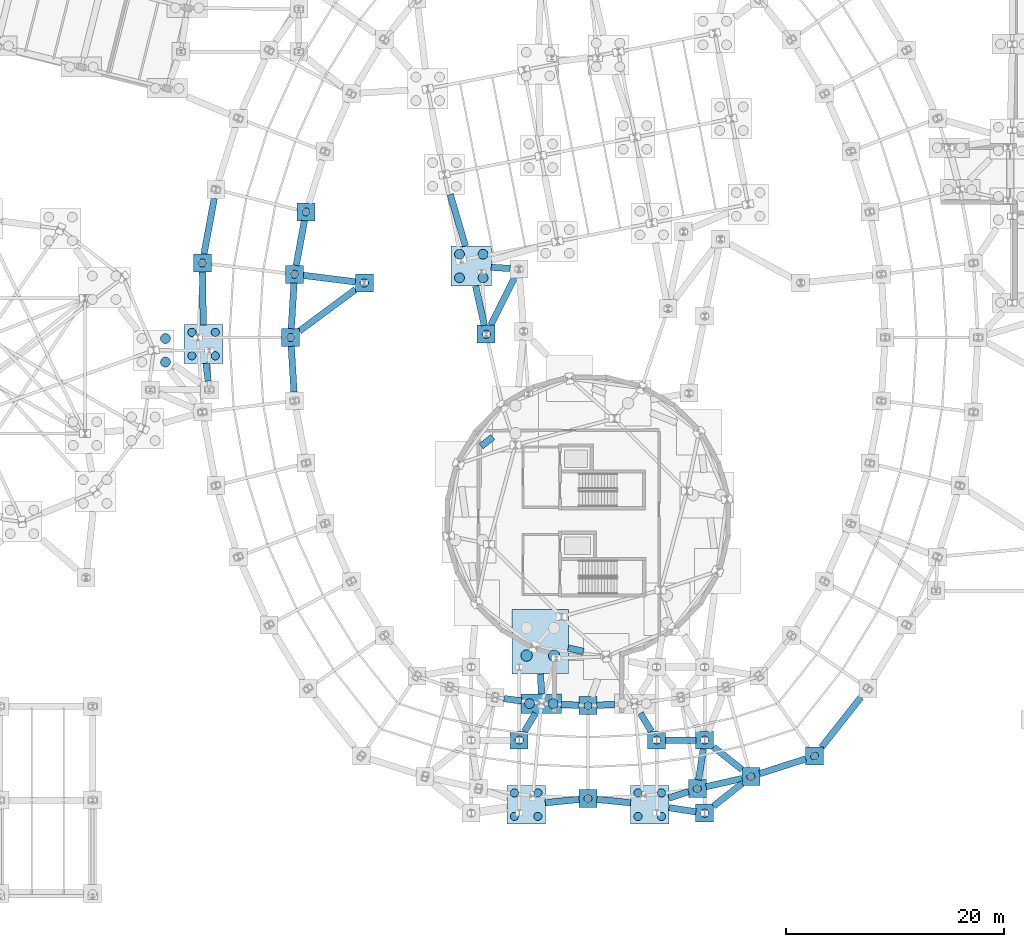
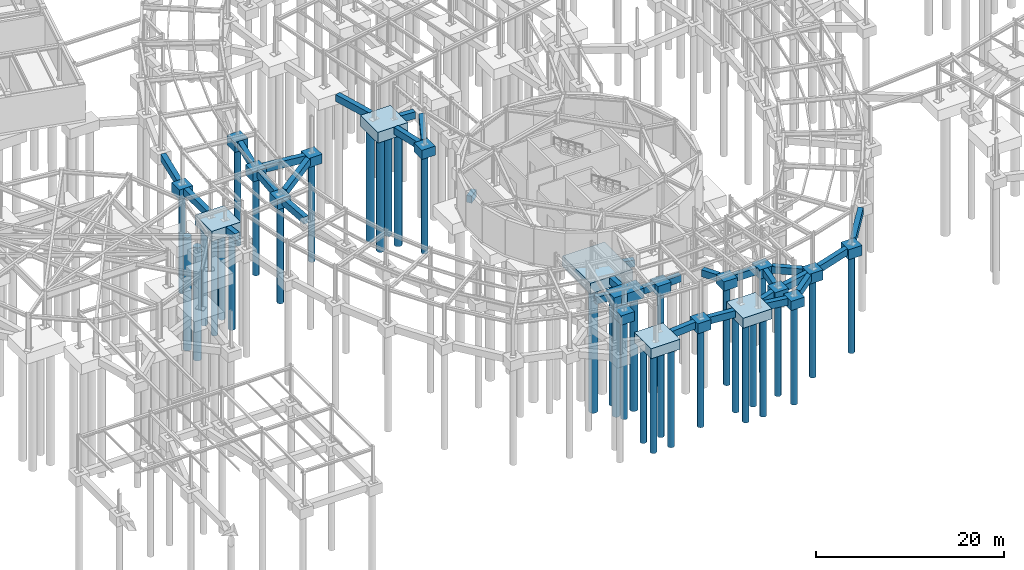
# One storey, part 3 of 50: 52 footings, 37 piles.
"""IFC4 building model written with IfcOpenShell, lengths in metres."""

from ifc_helpers import new_model, si_unit, direction, frame, origin, origin_2d, place, context, subcontext, project, spatial, rectangle, circle, extrude, material, material_profile, profile_set, type_object, element, save


model = new_model("IFC4")

# Units and contexts
model_context = context("Model", 3, precision=1e-05, world=origin(), true_north=direction((0.0, 1.0)))
body_context = subcontext(model_context, "Body", "Model", "MODEL_VIEW")
ifc_project = project(units=[si_unit("LENGTHUNIT", "METRE"), si_unit("AREAUNIT", "SQUARE_METRE"), si_unit("VOLUMEUNIT", "CUBIC_METRE"), si_unit("PLANEANGLEUNIT", "RADIAN"), si_unit("MASSUNIT", "GRAM", prefix="KILO")], contexts=[model_context])

# Site, building, storey
site_placement = place(None, origin())
site = spatial("IfcSite", under=ifc_project, at=site_placement, CompositionType="ELEMENT")
building_placement = place(site_placement, origin())
building = spatial("IfcBuilding", under=site, at=building_placement, Name="Varnklinge Art Gallery", CompositionType="ELEMENT")
storey_placement = place(building_placement, frame((0.0, 0.0, -4.800048828125)))
storey = spatial("IfcBuildingStorey", under=building, at=storey_placement, Name="B01", CompositionType="ELEMENT", Elevation=-4.800048828125)

# Footings
ifc_material_1 = material(Name="Concrete C35/45", Category="concrete")
footing_type_1 = type_object("IfcFootingType", Name="FB-08", PredefinedType="FOOTING_BEAM", material=ifc_material_1)
footing_1_placement = place(storey_placement, frame((84.157470703125, 11.718505859375, -0.89990234375), z_axis=(0.0, 0.0, 1.0), x_axis=(-0.988067633226, 0.154020622552, 0.0)))
element("IfcFooting", 1, at=footing_1_placement, inside=storey, type_object=footing_type_1, Name="B01 Ground Tie Beam FBM-011", PredefinedType="FOOTING_BEAM", context=body_context, shape_type="SweptSolid", body=[
    extrude(rectangle(XDim=2.5048828125, YDim=0.60009765625, at=origin_2d()), origin(), (0.0, 0.0, 1.0), 0.89990234375),
])
ifc_material_2 = material(Name="Concrete C35/45", Category="concrete")
footing_type_2 = type_object("IfcFootingType", Name="FB-09", PredefinedType="FOOTING_BEAM", material=ifc_material_2)
footing_2_placement = place(storey_placement, frame((88.31494140625, 13.08154296875, -0.89990234375), z_axis=(0.0, 0.0, 1.0), x_axis=(0.782716794233, 0.622378036266, 0.0)))
element("IfcFooting", 2, at=footing_2_placement, inside=storey, type_object=footing_type_2, Name="B01 Ground Tie Beam FBM-012", PredefinedType="FOOTING_BEAM", context=body_context, shape_type="SweptSolid", body=[
    extrude(rectangle(XDim=3.34716796875, YDim=0.60009765625, at=origin_2d()), origin(), (0.0, 0.0, 1.0), 0.89990234375),
])
footing_3_placement = place(storey_placement, frame((87.97509765625, 14.2041015625, -0.89990234375), z_axis=(0.0, 0.0, 1.0), x_axis=(-0.975033218117, -0.222059054235, 0.0)))
element("IfcFooting", 3, at=footing_3_placement, inside=storey, type_object=footing_type_2, Name="B01 Ground Tie Beam FBM-025", PredefinedType="FOOTING_BEAM", context=body_context, shape_type="SweptSolid", body=[
    extrude(rectangle(XDim=3.384521484375, YDim=0.60009765625, at=origin_2d()), origin(), (0.0, 0.0, 1.0), 0.89990234375),
])
footing_4_placement = place(storey_placement, frame((88.31494140625, 16.431396484375, -0.89990234375), z_axis=(0.0, 0.0, 1.0), x_axis=(-0.785100778485, 0.619368038909, 0.0)))
element("IfcFooting", 4, at=footing_4_placement, inside=storey, type_object=footing_type_2, Name="B01 Ground Tie Beam FBM-026", PredefinedType="FOOTING_BEAM", context=body_context, shape_type="SweptSolid", body=[
    extrude(rectangle(XDim=3.337158203125, YDim=0.60009765625, at=origin_2d()), origin(), (0.0, 0.0, 1.0), 0.89990234375),
])
ifc_material_3 = material(Name="Concrete C35/45", Category="concrete")
footing_type_3 = type_object("IfcFootingType", Name="FB-12", PredefinedType="FOOTING_BEAM", material=ifc_material_3)
for number, where, z_axis, x_axis, name in (
    (5, (73.142578125, 12.511962890625, -0.89990234375), (0.0, 0.0, 1.0), (-0.995141863893, -0.098451362239, 0.0), "B01 Ground Tie Beam FBM-016"),
    (6, (77.857421875, 12.511962890625, -0.89990234375), (0.0, 0.0, 1.0), (0.995141863893, -0.098451362239, 0.0), "B01 Ground Tie Beam FBM-017"),
):
    element("IfcFooting", number, at=place(storey_placement, frame(where, z_axis=z_axis, x_axis=x_axis)), inside=storey, type_object=footing_type_3, Name=name, PredefinedType="FOOTING_BEAM", context=body_context, shape_type="SweptSolid", body=[
        extrude(rectangle(XDim=3.1201171875, YDim=0.60009765625, at=origin_2d()), origin(), (0.0, 0.0, 1.0), 0.89990234375),
    ])
ifc_material_4 = material(Name="Concrete C35/45", Category="concrete")
footing_type_4 = type_object("IfcFootingType", Name="FB-13", PredefinedType="FOOTING_BEAM", material=ifc_material_4)
footing_5_placement = place(storey_placement, frame((83.8173828125, 13.07421875, -0.89990234375), z_axis=(0.0, 0.0, 1.0), x_axis=(0.94815738489, 0.317801153992, 0.0)))
element("IfcFooting", 7, at=footing_5_placement, inside=storey, type_object=footing_type_4, Name="B01 Ground Tie Beam FBM-019", PredefinedType="FOOTING_BEAM", context=body_context, shape_type="SweptSolid", body=[
    extrude(rectangle(XDim=1.893310546875, YDim=0.60009765625, at=origin_2d()), origin(), (0.0, 0.0, 1.0), 0.89990234375),
])
footing_6_placement = place(storey_placement, frame((71.2001953125, 23.2529296875, -0.89990234375), z_axis=(0.0, 0.0, 1.0), x_axis=(0.017103392695, -0.999853726281, 0.0)))
element("IfcFooting", 8, at=footing_6_placement, inside=storey, type_object=footing_type_4, Name="B01 Ground Tie Beam FBM-070", PredefinedType="FOOTING_BEAM", context=body_context, shape_type="SweptSolid", body=[
    extrude(rectangle(XDim=1.854248046875, YDim=0.60009765625, at=origin_2d()), origin(), (0.0, 0.0, 1.0), 0.89990234375),
])
footing_7_placement = place(storey_placement, frame((67.505615234375, 61.381591796875, -0.89990234375), z_axis=(0.0, 0.0, 1.0), x_axis=(-0.998015754214, 0.062964707096, 0.0)))
element("IfcFooting", 9, at=footing_7_placement, inside=storey, type_object=footing_type_4, Name="B01 Ground Tie Beam FBM-155", PredefinedType="FOOTING_BEAM", context=body_context, shape_type="SweptSolid", body=[
    extrude(rectangle(XDim=1.738525390625, YDim=0.60009765625, at=origin_2d()), origin(), (0.0, 0.0, 1.0), 0.89990234375),
])
ifc_material_5 = material(Name="Concrete C35/45", Category="concrete")
footing_type_5 = type_object("IfcFootingType", Name="FB-14", PredefinedType="FOOTING_BEAM", material=ifc_material_5)
for number, where, z_axis, x_axis, name in (
    (10, (48.43505859375, 52.1005859375, -0.89990234375), (0.0, 0.0, 1.0), (-0.06087433122, 0.9981454382, 0.0), "B01 Ground Tie Beam FBM-121"),
    (11, (48.43505859375, 57.8994140625, -0.89990234375), (0.0, 0.0, 1.0), (0.06087433122, 0.9981454382, 0.0), "B01 Ground Tie Beam FBM-133"),
):
    element("IfcFooting", number, at=place(storey_placement, frame(where, z_axis=z_axis, x_axis=x_axis)), inside=storey, type_object=footing_type_5, Name=name, PredefinedType="FOOTING_BEAM", context=body_context, shape_type="SweptSolid", body=[
        extrude(rectangle(XDim=4.19677734375, YDim=0.60009765625, at=origin_2d()), origin(), (0.0, 0.0, 1.0), 0.89990234375),
    ])
footing_8_placement = place(storey_placement, frame((49.139404296875, 63.655517578125, -0.89990234375), z_axis=(0.0, 0.0, 1.0), x_axis=(0.181549039717, 0.983381892338, 0.0)))
element("IfcFooting", 12, at=footing_8_placement, inside=storey, type_object=footing_type_5, Name="B01 Ground Tie Beam FBM-153", PredefinedType="FOOTING_BEAM", context=body_context, shape_type="SweptSolid", body=[
    extrude(rectangle(XDim=4.17236328125, YDim=0.60009765625, at=origin_2d()), origin(), (0.0, 0.0, 1.0), 0.89990234375),
])
ifc_material_6 = material(Name="Concrete C35/45", Category="concrete")
footing_type_6 = type_object("IfcFootingType", Name="FB-15", PredefinedType="FOOTING_BEAM", material=ifc_material_6)
footing_9_placement = place(storey_placement, frame((85.860107421875, 15.87255859375, -0.89990234375), z_axis=(0.0, 0.0, 1.0), x_axis=(0.15091576158, 0.988546626572, 0.0)))
element("IfcFooting", 13, at=footing_9_placement, inside=storey, type_object=footing_type_6, Name="B01 Ground Tie Beam FBM-022", PredefinedType="FOOTING_BEAM", context=body_context, shape_type="SweptSolid", body=[
    extrude(rectangle(XDim=2.8779296875, YDim=0.60009765625, at=origin_2d()), origin(), (0.0, 0.0, 1.0), 0.89990234375),
])
footing_10_placement = place(storey_placement, frame((84.0, 18.10009765625, -0.89990234375), z_axis=(0.0, 0.0, 1.0), x_axis=(1.0, 0.0, 0.0)))
element("IfcFooting", 14, at=footing_10_placement, inside=storey, type_object=footing_type_6, Name="B01 Ground Tie Beam FBM-038", PredefinedType="FOOTING_BEAM", context=body_context, shape_type="SweptSolid", body=[
    extrude(rectangle(XDim=2.7900390625, YDim=0.60009765625, at=origin_2d()), origin(), (0.0, 0.0, 1.0), 0.89990234375),
])
ifc_material_7 = material(Name="Concrete C35/45", Category="concrete")
footing_type_7 = type_object("IfcFootingType", Name="FB-16", PredefinedType="FOOTING_BEAM", material=ifc_material_7)
footing_11_placement = place(storey_placement, frame((93.3505859375, 15.701416015625, -0.89990234375), z_axis=(0.0, 0.0, 1.0), x_axis=(-0.952076024345, -0.305861478234, 0.0)))
element("IfcFooting", 15, at=footing_11_placement, inside=storey, type_object=footing_type_7, Name="B01 Ground Tie Beam FBM-029", PredefinedType="FOOTING_BEAM", context=body_context, shape_type="SweptSolid", body=[
    extrude(rectangle(XDim=4.444091796875, YDim=0.60009765625, at=origin_2d()), origin(), (0.0, 0.0, 1.0), 0.89990234375),
])
ifc_material_8 = material(Name="Concrete C35/45", Category="concrete")
footing_type_8 = type_object("IfcFootingType", Name="FB-17", PredefinedType="FOOTING_BEAM", material=ifc_material_8)
footing_12_placement = place(storey_placement, frame((98.71044921875, 19.732421875, -0.89990234375), z_axis=(0.0, 0.0, 1.0), x_axis=(0.619368038909, 0.785100778485, 0.0)))
element("IfcFooting", 16, at=footing_12_placement, inside=storey, type_object=footing_type_8, Name="B01 Ground Tie Beam FBM-030", PredefinedType="FOOTING_BEAM", context=body_context, shape_type="SweptSolid", body=[
    extrude(rectangle(XDim=5.8271484375, YDim=0.60009765625, at=origin_2d()), origin(), (0.0, 0.0, 1.0), 0.89990234375),
])
ifc_material_9 = material(Name="Concrete C35/45", Category="concrete")
footing_type_9 = type_object("IfcFootingType", Name="FB-19", PredefinedType="FOOTING_BEAM", material=ifc_material_9)
footing_13_placement = place(storey_placement, frame((65.60595703125, 57.91455078125, -0.89990234375), z_axis=(0.0, 0.0, 1.0), x_axis=(-0.214223913346, 0.976784579603, 0.0)))
element("IfcFooting", 17, at=footing_13_placement, inside=storey, type_object=footing_type_9, Name="B01 Ground Tie Beam FBM-136", PredefinedType="FOOTING_BEAM", context=body_context, shape_type="SweptSolid", body=[
    extrude(rectangle(XDim=3.700927734375, YDim=0.60009765625, at=origin_2d()), origin(), (0.0, 0.0, 1.0), 0.89990234375),
])
ifc_material_10 = material(Name="Concrete C35/45", Category="concrete")
footing_type_10 = type_object("IfcFootingType", Name="FB-20", PredefinedType="FOOTING_BEAM", material=ifc_material_10)
for number, where, z_axis, x_axis, name in (
    (18, (70.192626953125, 19.735595703125, -0.89990234375), (0.0, 0.0, 1.0), (0.518922460528, 0.854821314638, 0.0), "B01 Ground Tie Beam FBM-036"),
    (19, (80.807373046875, 19.735595703125, -0.89990234375), (0.0, 0.0, 1.0), (-0.518922460528, 0.854821314638, 0.0), "B01 Ground Tie Beam FBM-037"),
):
    element("IfcFooting", number, at=place(storey_placement, frame(where, z_axis=z_axis, x_axis=x_axis)), inside=storey, type_object=footing_type_10, Name=name, PredefinedType="FOOTING_BEAM", context=body_context, shape_type="SweptSolid", body=[
        extrude(rectangle(XDim=1.943115234375, YDim=0.60009765625, at=origin_2d()), origin(), (0.0, 0.0, 1.0), 0.89990234375),
    ])
ifc_material_11 = material(Name="Concrete C35/45", Category="concrete")
footing_type_11 = type_object("IfcFootingType", Name="FB-21", PredefinedType="FOOTING_BEAM", material=ifc_material_11)
footing_14_placement = place(storey_placement, frame((51.62939453125, 57.50048828125, -0.89990234375), z_axis=(0.0, 0.0, 1.0), x_axis=(-0.803233523002, -0.595664257385, 0.0)))
element("IfcFooting", 20, at=footing_14_placement, inside=storey, type_object=footing_type_11, Name="B01 Ground Tie Beam FBM-273", PredefinedType="FOOTING_BEAM", context=body_context, shape_type="SweptSolid", body=[
    extrude(rectangle(XDim=6.387939453125, YDim=0.60009765625, at=origin_2d()), origin(), (0.0, 0.0, 1.0), 0.89990234375),
])
ifc_material_12 = material(Name="Concrete C35/45", Category="concrete")
footing_type_12 = type_object("IfcFootingType", Name="FB-22", PredefinedType="FOOTING_BEAM", material=ifc_material_12)
footing_15_placement = place(storey_placement, frame((40.780029296875, 65.199951171875, -0.89990234375), z_axis=(0.0, 0.0, 1.0), x_axis=(0.18172066947, 0.983350191075, 0.0)))
element("IfcFooting", 21, at=footing_15_placement, inside=storey, type_object=footing_type_12, Name="B01 Ground Tie Beam FBM-156", PredefinedType="FOOTING_BEAM", context=body_context, shape_type="SweptSolid", body=[
    extrude(rectangle(XDim=5.208740234375, YDim=0.60009765625, at=origin_2d()), origin(), (0.0, 0.0, 1.0), 0.89990234375),
])
ifc_material_13 = material(Name="Concrete C35/45", Category="concrete")
footing_type_13 = type_object("IfcFootingType", Name="FB-24", PredefinedType="FOOTING_BEAM", material=ifc_material_13)
for number, where, z_axis, x_axis, name in (
    (22, (73.8779296875, 21.32763671875, -1.199951171875), (0.0, 0.0, 1.0), (-0.999001995685, 0.044665564108, 0.0), "B01 Ground Tie Beam FBM-046"),
    (23, (77.1220703125, 21.32763671875, -1.199951171875), (0.0, 0.0, 1.0), (0.999001995685, 0.044665564108, 0.0), "B01 Ground Tie Beam FBM-047"),
):
    element("IfcFooting", number, at=place(storey_placement, frame(where, z_axis=z_axis, x_axis=x_axis)), inside=storey, type_object=footing_type_13, Name=name, PredefinedType="FOOTING_BEAM", context=body_context, shape_type="SweptSolid", body=[
        extrude(rectangle(XDim=1.635498046875, YDim=0.60009765625, at=origin_2d()), origin(), (0.0, 0.0, 1.0), 0.89990234375),
    ])
footing_16_placement = place(storey_placement, frame((68.60107421875, 21.80126953125, -0.89990234375), z_axis=(0.0, 0.0, 1.0), x_axis=(0.991006569622, -0.133813224182, 0.0)))
element("IfcFooting", 24, at=footing_16_placement, inside=storey, type_object=footing_type_13, Name="B01 Ground Tie Beam FBM-053", PredefinedType="FOOTING_BEAM", context=body_context, shape_type="SweptSolid", body=[
    extrude(rectangle(XDim=1.614501953125, YDim=0.60009765625, at=origin_2d()), origin(), (0.0, 0.0, 1.0), 0.89990234375),
])
footing_17_placement = place(storey_placement, frame((40.59521484375, 51.824951171875, -0.89990234375), z_axis=(0.0, 0.0, 1.0), x_axis=(-0.124986912574, 0.992158390422, 0.0)))
element("IfcFooting", 25, at=footing_17_placement, inside=storey, type_object=footing_type_13, Name="B01 Ground Tie Beam FBM-127", PredefinedType="FOOTING_BEAM", context=body_context, shape_type="SweptSolid", body=[
    extrude(rectangle(XDim=1.653076171875, YDim=0.60009765625, at=origin_2d()), origin(), (0.0, 0.0, 1.0), 0.89990234375),
])
ifc_material_14 = material(Name="Concrete C35/45", Category="concrete")
footing_type_14 = type_object("IfcFootingType", Name="FB-27", PredefinedType="FOOTING_BEAM", material=ifc_material_14)
footing_18_placement = place(storey_placement, frame((74.39306640625, 26.3818359375, -1.199951171875), z_axis=(0.0, 0.0, 1.0), x_axis=(0.975954820253, -0.217972908468, 0.0)))
element("IfcFooting", 26, at=footing_18_placement, inside=storey, type_object=footing_type_14, Name="B01 Ground Tie Beam FBM-071", PredefinedType="FOOTING_BEAM", context=body_context, shape_type="SweptSolid", body=[
    extrude(rectangle(XDim=1.442626953125, YDim=0.60009765625, at=origin_2d()), origin(), (0.0, 0.0, 1.0), 0.89990234375),
])
footing_19_placement = place(storey_placement, frame((66.24560546875, 45.4580078125, -1.199951171875), z_axis=(0.0, 0.0, 1.0), x_axis=(0.788547719477, 0.614973571877, 0.0)))
element("IfcFooting", 27, at=footing_19_placement, inside=storey, type_object=footing_type_14, Name="B01 Ground Tie Beam FBM-109", PredefinedType="FOOTING_BEAM", context=body_context, shape_type="SweptSolid", body=[
    extrude(rectangle(XDim=1.36328125, YDim=0.60009765625, at=origin_2d()), origin(), (0.0, 0.0, 1.0), 0.89990234375),
])
ifc_material_15 = material(Name="Concrete C35/45", Category="concrete")
footing_type_15 = type_object("IfcFootingType", Name="FB-28", PredefinedType="FOOTING_BEAM", material=ifc_material_15)
footing_20_placement = place(storey_placement, frame((63.576904296875, 65.74755859375, -0.89990234375), z_axis=(0.0, 0.0, 1.0), x_axis=(0.281504190071, -0.959559998631, 0.0)))
element("IfcFooting", 28, at=footing_20_placement, inside=storey, type_object=footing_type_15, Name="B01 Ground Tie Beam FBM-177", PredefinedType="FOOTING_BEAM", context=body_context, shape_type="SweptSolid", body=[
    extrude(rectangle(XDim=4.930419921875, YDim=0.60009765625, at=origin_2d()), origin(), (0.0, 0.0, 1.0), 0.89990234375),
])
ifc_material_16 = material(Name="Concrete C35/45", Category="concrete")
footing_type_16 = type_object("IfcFootingType", Name="FB-30", PredefinedType="FOOTING_BEAM", material=ifc_material_16)
footing_21_placement = place(storey_placement, frame((40.207275390625, 58.591552734375, -0.89990234375), z_axis=(0.0, 0.0, 1.0), x_axis=(-0.015183781002, 0.999884719752, 0.0)))
element("IfcFooting", 29, at=footing_21_placement, inside=storey, type_object=footing_type_16, Name="B01 Ground Tie Beam FBM-132", PredefinedType="FOOTING_BEAM", context=body_context, shape_type="SweptSolid", body=[
    extrude(rectangle(XDim=4.87353515625, YDim=0.60009765625, at=origin_2d()), origin(), (0.0, 0.0, 1.0), 0.89990234375),
])
footing_22_placement = place(storey_placement, frame((67.67822265625, 58.28857421875, -0.89990234375), z_axis=(0.0, 0.0, 1.0), x_axis=(0.448695198283, 0.89368485443, 0.0)))
element("IfcFooting", 30, at=footing_22_placement, inside=storey, type_object=footing_type_16, Name="B01 Ground Tie Beam FBM-137", PredefinedType="FOOTING_BEAM", context=body_context, shape_type="SweptSolid", body=[
    extrude(rectangle(XDim=4.8818359375, YDim=0.60009765625, at=origin_2d()), origin(), (0.0, 0.0, 1.0), 0.89990234375),
])
footing_23_placement = place(storey_placement, frame((51.805908203125, 60.3994140625, -0.89990234375), z_axis=(0.0, 0.0, 1.0), x_axis=(-0.99226708428, 0.124121043561, 0.0)))
element("IfcFooting", 31, at=footing_23_placement, inside=storey, type_object=footing_type_16, Name="B01 Ground Tie Beam FBM-272", PredefinedType="FOOTING_BEAM", context=body_context, shape_type="SweptSolid", body=[
    extrude(rectangle(XDim=4.815185546875, YDim=0.60009765625, at=origin_2d()), origin(), (0.0, 0.0, 1.0), 0.89990234375),
])
ifc_material_17 = material(Name="Concrete C35/45", Category="concrete")
footing_type_17 = type_object("IfcFootingType", Name="PC-01", PredefinedType="PILE_CAP", material=ifc_material_17)
for number, where, z_axis, x_axis, name in (
    (32, (75.5, 12.7451171875, -1.2998046875), (0.0, 0.0, 1.0), (1.0, 0.0, 0.0), "B01 Pile Cap FCAP-012"),
    (33, (85.52001953125, 13.64501953125, -1.2998046875), (0.0, 0.0, 1.0), (1.0, 0.0, 0.0), "B01 Pile Cap FCAP-017"),
    (34, (90.429931640625, 14.762939453125, -1.2998046875), (0.0, 0.0, 1.0), (1.0, 0.0, 0.0), "B01 Pile Cap FCAP-019"),
    (35, (96.27099609375, 16.639892578125, -1.2998046875), (0.0, 0.0, 1.0), (1.0, 0.0, 0.0), "B01 Pile Cap FCAP-021"),
    (36, (75.5, 21.2548828125, -1.60009765625), (0.0, 0.0, 1.0), (1.0, 0.0, 0.0), "B01 Pile Cap FCAP-034"),
):
    element("IfcFooting", number, at=place(storey_placement, frame(where, z_axis=z_axis, x_axis=x_axis)), inside=storey, type_object=footing_type_17, Name=name, PredefinedType="PILE_CAP", context=body_context, shape_type="SweptSolid", body=[
        extrude(rectangle(XDim=1.64990234375, YDim=1.64990234375, at=origin_2d()), origin(), (0.0, 0.0, 1.0), 1.300048828125),
    ])
footing_24_placement = place(storey_placement, frame((48.258056640625, 55.0, -1.2998046875), z_axis=(0.0, 0.0, 1.0), x_axis=(1.0, 0.0, 0.0)))
element("IfcFooting", 37, at=footing_24_placement, inside=storey, type_object=footing_type_17, Name="B01 Pile Cap FCAP-104", PredefinedType="PILE_CAP", context=body_context, shape_type="SweptSolid", body=[
    extrude(rectangle(XDim=1.65087890625, YDim=1.64990234375, at=origin_2d()), origin(), (0.0, 0.0, 1.0), 1.300048828125),
])
footing_25_placement = place(storey_placement, frame((48.612060546875, 60.799072265625, -1.2998046875), z_axis=(0.0, 0.0, 1.0), x_axis=(1.0, 0.0, 0.0)))
element("IfcFooting", 38, at=footing_25_placement, inside=storey, type_object=footing_type_17, Name="B01 Pile Cap FCAP-118", PredefinedType="PILE_CAP", context=body_context, shape_type="SweptSolid", body=[
    extrude(rectangle(XDim=1.64990234375, YDim=1.64990234375, at=origin_2d()), origin(), (0.0, 0.0, 1.0), 1.300048828125),
])
footing_26_placement = place(storey_placement, frame((40.157958984375, 61.833984375, -1.2998046875), z_axis=(0.0, 0.0, 1.0), x_axis=(1.0, 0.0, 0.0)))
element("IfcFooting", 39, at=footing_26_placement, inside=storey, type_object=footing_type_17, Name="B01 Pile Cap FCAP-121", PredefinedType="PILE_CAP", context=body_context, shape_type="SweptSolid", body=[
    extrude(rectangle(XDim=1.64990234375, YDim=1.65087890625, at=origin_2d()), origin(), (0.0, 0.0, 1.0), 1.300048828125),
])
footing_27_placement = place(storey_placement, frame((49.6669921875, 66.511962890625, -1.2998046875), z_axis=(0.0, 0.0, 1.0), x_axis=(1.0, 0.0, 0.0)))
element("IfcFooting", 40, at=footing_27_placement, inside=storey, type_object=footing_type_17, Name="B01 Pile Cap FCAP-135", PredefinedType="PILE_CAP", context=body_context, shape_type="SweptSolid", body=[
    extrude(rectangle(XDim=1.64990234375, YDim=1.64990234375, at=origin_2d()), origin(), (0.0, 0.0, 1.0), 1.300048828125),
])
ifc_material_18 = material(Name="Concrete C35/45", Category="concrete")
footing_type_18 = type_object("IfcFootingType", Name="PC-02", PredefinedType="PILE_CAP", material=ifc_material_18)
footing_28_placement = place(storey_placement, frame((64.80810546875, 61.552001953125, -1.39990234375), z_axis=(0.0, 0.0, 1.0), x_axis=(1.0, 0.0, 0.0)))
element("IfcFooting", 41, at=footing_28_placement, inside=storey, type_object=footing_type_18, Name="B01 Pile Cap FCAP-123", PredefinedType="PILE_CAP", context=body_context, shape_type="SweptSolid", body=[
    extrude(rectangle(XDim=3.699951171875, YDim=3.699951171875, at=origin_2d()), origin(), (0.0, 0.0, 1.0), 1.39990234375),
])
ifc_material_19 = material(Name="Concrete C35/45", Category="concrete")
footing_type_19 = type_object("IfcFootingType", Name="PC-03", PredefinedType="PILE_CAP", material=ifc_material_19)
for number, where, z_axis, x_axis, name in (
    (42, (86.199951171875, 11.39990234375, -1.19970703125), (0.0, 0.0, 1.0), (1.0, 0.0, 0.0), "B01 Pile Cap FCAP-007"),
    (43, (69.199951171875, 18.10009765625, -1.19970703125), (0.0, 0.0, 1.0), (1.0, 0.0, 0.0), "B01 Pile Cap FCAP-025"),
    (44, (81.800048828125, 18.10009765625, -1.19970703125), (0.0, 0.0, 1.0), (1.0, 0.0, 0.0), "B01 Pile Cap FCAP-026"),
    (45, (86.199951171875, 18.10009765625, -1.19970703125), (0.0, 0.0, 1.0), (1.0, 0.0, 0.0), "B01 Pile Cap FCAP-027"),
    (46, (66.178955078125, 55.302001953125, -1.19970703125), (0.0, 0.0, 1.0), (1.0, 0.0, 0.0), "B01 Pile Cap FCAP-107"),
    (47, (55.0, 60.0, -1.19970703125), (0.0, 0.0, 1.0), (1.0, 0.0, 0.0), "B01 Pile Cap FCAP-233"),
):
    element("IfcFooting", number, at=place(storey_placement, frame(where, z_axis=z_axis, x_axis=x_axis)), inside=storey, type_object=footing_type_19, Name=name, PredefinedType="PILE_CAP", context=body_context, shape_type="SweptSolid", body=[
        extrude(rectangle(XDim=1.64990234375, YDim=1.64990234375, at=origin_2d()), origin(), (0.0, 0.0, 1.0), 1.199951171875),
    ])
ifc_material_20 = material(Name="Concrete C35/45", Category="concrete")
footing_type_20 = type_object("IfcFootingType", Name="PC-04", PredefinedType="PILE_CAP", material=ifc_material_20)
for number, where, z_axis, x_axis, name in (
    (48, (69.8349609375, 12.18505859375, -1.2998046875), (0.0, 0.0, 1.0), (1.0, 0.0, 0.0), "B01 Pile Cap FCAP-013"),
    (49, (81.1650390625, 12.18505859375, -1.2998046875), (0.0, 0.0, 1.0), (1.0, 0.0, 0.0), "B01 Pile Cap FCAP-014"),
    (50, (40.27099609375, 54.39990234375, -1.2998046875), (0.0, 0.0, 1.0), (1.0, 0.0, 0.0), "B01 Pile Cap FCAP-103"),
):
    element("IfcFooting", number, at=place(storey_placement, frame(where, z_axis=z_axis, x_axis=x_axis)), inside=storey, type_object=footing_type_20, Name=name, PredefinedType="PILE_CAP", context=body_context, shape_type="SweptSolid", body=[
        extrude(rectangle(XDim=3.550048828125, YDim=3.550048828125, at=origin_2d()), origin(), (0.0, 0.0, 1.0), 1.300048828125),
    ])
ifc_material_21 = material(Name="Concrete C35/45", Category="concrete")
footing_type_21 = type_object("IfcFootingType", Name="PC-06", PredefinedType="PILE_CAP", material=ifc_material_21)
footing_29_placement = place(storey_placement, frame((71.23095703125, 21.446044921875, -1.2998046875), z_axis=(0.0, 0.0, 1.0), x_axis=(1.0, 0.0, 0.0)))
element("IfcFooting", 51, at=footing_29_placement, inside=storey, type_object=footing_type_21, Name="B01 Pile Cap FCAP-035", PredefinedType="PILE_CAP", context=body_context, shape_type="SweptSolid", body=[
    extrude(rectangle(XDim=3.699951171875, YDim=1.800048828125, at=origin_2d()), origin(), (0.0, 0.0, 1.0), 1.300048828125),
])
ifc_material_22 = material(Name="Concrete C35/45", Category="concrete")
footing_type_22 = type_object("IfcFootingType", Name="PC-07", PredefinedType="PILE_CAP", material=ifc_material_22)
footing_30_placement = place(storey_placement, frame((71.134033203125, 27.110107421875, -1.39990234375), z_axis=(0.0, 0.0, 1.0), x_axis=(1.0, 0.0, 0.0)))
element("IfcFooting", 52, at=footing_30_placement, inside=storey, type_object=footing_type_22, Name="B01 Pile Cap FCAP-052", PredefinedType="PILE_CAP", context=body_context, shape_type="SweptSolid", body=[
    extrude(rectangle(XDim=5.14990234375, YDim=5.89990234375, at=origin_2d()), origin(), (0.0, 0.0, 1.0), 1.39990234375),
])

# Piles
ifc_material_23 = material(Name="Concrete C35/45", Category="concrete")
ifc_material_profile_1 = material_profile(ifc_material_23, circle(Radius=0.52490234375, at=origin_2d()), Name="PILE D1050")
ifc_profile_set_1 = profile_set([ifc_material_profile_1], Name="Concrete C35/45")
pile_type_1 = type_object("IfcPileType", Name="PIL-D1050", PredefinedType="BORED", material=ifc_profile_set_1)
for number, where, z_axis, x_axis, name in (
    (53, (69.8740234375, 25.85009765625, -1.300048828125), (0.0, 0.0, -1.0), (1.0, 0.0, 0.0), "B01 Bored Pile PILE-D1050-071"),
    (54, (72.39404296875, 25.85009765625, -1.300048828125), (0.0, 0.0, -1.0), (1.0, 0.0, 0.0), "B01 Bored Pile PILE-D1050-073"),
):
    element("IfcPile", number, at=place(storey_placement, frame(where, z_axis=z_axis, x_axis=x_axis)), inside=storey, type_object=pile_type_1, Name=name, PredefinedType="BORED", context=body_context, shape_type="SweptSolid", body=[
        extrude(circle(Radius=0.52490234375, at=origin_2d()), origin(), (0.0, 0.0, 1.0), 16.699951171875),
    ])
ifc_material_24 = material(Name="Concrete C35/45", Category="concrete")
ifc_material_profile_2 = material_profile(ifc_material_24, circle(Radius=0.375, at=origin_2d()), Name="PILE D750")
ifc_profile_set_2 = profile_set([ifc_material_profile_2], Name="Concrete C35/45")
pile_type_2 = type_object("IfcPileType", Name="PIL-D750", PredefinedType="BORED", material=ifc_profile_set_2)
pile_1_placement = place(storey_placement, frame((86.199951171875, 11.39990234375, -1.099853515625), z_axis=(0.0, 0.0, -1.0), x_axis=(1.0, 0.0, 0.0)))
element("IfcPile", 55, at=pile_1_placement, inside=storey, type_object=pile_type_2, Name="B01 Bored Pile PILE-D750-008", PredefinedType="BORED", context=body_context, shape_type="SweptSolid", body=[
    extrude(circle(Radius=0.375, at=origin_2d()), origin(), (0.0, 0.0, 1.0), 12.89990234375),
])
for number, where, z_axis, x_axis, name in (
    (56, (75.5, 12.7451171875, -1.199951171875), (0.0, 0.0, -1.0), (1.0, 0.0, 0.0), "B01 Bored Pile PILE-D750-013"),
    (57, (68.760009765625, 11.110107421875, -1.199951171875), (0.0, 0.0, -1.0), (1.0, 0.0, 0.0), "B01 Bored Pile PILE-D750-014"),
    (58, (68.760009765625, 13.260009765625, -1.199951171875), (0.0, 0.0, -1.0), (1.0, 0.0, 0.0), "B01 Bored Pile PILE-D750-015"),
    (59, (70.909912109375, 11.110107421875, -1.199951171875), (0.0, 0.0, -1.0), (1.0, 0.0, 0.0), "B01 Bored Pile PILE-D750-016"),
    (60, (70.909912109375, 13.260009765625, -1.199951171875), (0.0, 0.0, -1.0), (1.0, 0.0, 0.0), "B01 Bored Pile PILE-D750-017"),
    (61, (80.090087890625, 11.110107421875, -1.199951171875), (0.0, 0.0, -1.0), (1.0, 0.0, 0.0), "B01 Bored Pile PILE-D750-018"),
    (62, (80.090087890625, 13.260009765625, -1.199951171875), (0.0, 0.0, -1.0), (1.0, 0.0, 0.0), "B01 Bored Pile PILE-D750-019"),
    (63, (82.239990234375, 11.110107421875, -1.199951171875), (0.0, 0.0, -1.0), (1.0, 0.0, 0.0), "B01 Bored Pile PILE-D750-020"),
    (64, (82.239990234375, 13.260009765625, -1.199951171875), (0.0, 0.0, -1.0), (1.0, 0.0, 0.0), "B01 Bored Pile PILE-D750-021"),
    (65, (85.52001953125, 13.64501953125, -1.199951171875), (0.0, 0.0, -1.0), (1.0, 0.0, 0.0), "B01 Bored Pile PILE-D750-027"),
    (66, (90.429931640625, 14.762939453125, -1.199951171875), (0.0, 0.0, -1.0), (1.0, 0.0, 0.0), "B01 Bored Pile PILE-D750-029"),
    (67, (96.27099609375, 16.639892578125, -1.199951171875), (0.0, 0.0, -1.0), (1.0, 0.0, 0.0), "B01 Bored Pile PILE-D750-031"),
):
    element("IfcPile", number, at=place(storey_placement, frame(where, z_axis=z_axis, x_axis=x_axis)), inside=storey, type_object=pile_type_2, Name=name, PredefinedType="BORED", context=body_context, shape_type="SweptSolid", body=[
        extrude(circle(Radius=0.375, at=origin_2d()), origin(), (0.0, 0.0, 1.0), 12.800048828125),
    ])
for number, where, z_axis, x_axis, name in (
    (68, (69.199951171875, 18.10009765625, -1.099853515625), (0.0, 0.0, -1.0), (1.0, 0.0, 0.0), "B01 Bored Pile PILE-D750-038"),
    (69, (81.800048828125, 18.10009765625, -1.099853515625), (0.0, 0.0, -1.0), (1.0, 0.0, 0.0), "B01 Bored Pile PILE-D750-039"),
    (70, (86.199951171875, 18.10009765625, -1.099853515625), (0.0, 0.0, -1.0), (1.0, 0.0, 0.0), "B01 Bored Pile PILE-D750-040"),
):
    element("IfcPile", number, at=place(storey_placement, frame(where, z_axis=z_axis, x_axis=x_axis)), inside=storey, type_object=pile_type_2, Name=name, PredefinedType="BORED", context=body_context, shape_type="SweptSolid", body=[
        extrude(circle(Radius=0.375, at=origin_2d()), origin(), (0.0, 0.0, 1.0), 12.89990234375),
    ])
pile_2_placement = place(storey_placement, frame((75.5, 21.2548828125, -1.5), z_axis=(0.0, 0.0, -1.0), x_axis=(1.0, 0.0, 0.0)))
element("IfcPile", 71, at=pile_2_placement, inside=storey, type_object=pile_type_2, Name="B01 Bored Pile PILE-D750-048", PredefinedType="BORED", context=body_context, shape_type="SweptSolid", body=[
    extrude(circle(Radius=0.375, at=origin_2d()), origin(), (0.0, 0.0, 1.0), 12.5),
])
for number, where, z_axis, x_axis, name in (
    (72, (39.196044921875, 53.324951171875, -1.199951171875), (0.0, 0.0, -1.0), (1.0, 0.0, 0.0), "B01 Bored Pile PILE-D750-162"),
    (73, (39.196044921875, 55.47509765625, -1.199951171875), (0.0, 0.0, -1.0), (1.0, 0.0, 0.0), "B01 Bored Pile PILE-D750-163"),
    (74, (41.345947265625, 53.324951171875, -1.199951171875), (0.0, 0.0, -1.0), (1.0, 0.0, 0.0), "B01 Bored Pile PILE-D750-164"),
    (75, (41.345947265625, 55.47509765625, -1.199951171875), (0.0, 0.0, -1.0), (1.0, 0.0, 0.0), "B01 Bored Pile PILE-D750-165"),
    (76, (48.258056640625, 55.0, -1.199951171875), (0.0, 0.0, -1.0), (1.0, 0.0, 0.0), "B01 Bored Pile PILE-D750-166"),
):
    element("IfcPile", number, at=place(storey_placement, frame(where, z_axis=z_axis, x_axis=x_axis)), inside=storey, type_object=pile_type_2, Name=name, PredefinedType="BORED", context=body_context, shape_type="SweptSolid", body=[
        extrude(circle(Radius=0.375, at=origin_2d()), origin(), (0.0, 0.0, 1.0), 12.800048828125),
    ])
pile_3_placement = place(storey_placement, frame((66.178955078125, 55.302001953125, -1.099853515625), z_axis=(0.0, 0.0, -1.0), x_axis=(1.0, 0.0, 0.0)))
element("IfcPile", 77, at=pile_3_placement, inside=storey, type_object=pile_type_2, Name="B01 Bored Pile PILE-D750-169", PredefinedType="BORED", context=body_context, shape_type="SweptSolid", body=[
    extrude(circle(Radius=0.375, at=origin_2d()), origin(), (0.0, 0.0, 1.0), 12.89990234375),
])
for number, where, z_axis, x_axis, name in (
    (78, (48.612060546875, 60.799072265625, -1.199951171875), (0.0, 0.0, -1.0), (1.0, 0.0, 0.0), "B01 Bored Pile PILE-D750-195"),
    (79, (40.157958984375, 61.833984375, -1.199951171875), (0.0, 0.0, -1.0), (1.0, 0.0, 0.0), "B01 Bored Pile PILE-D750-198"),
    (80, (49.6669921875, 66.511962890625, -1.199951171875), (0.0, 0.0, -1.0), (1.0, 0.0, 0.0), "B01 Bored Pile PILE-D750-236"),
):
    element("IfcPile", number, at=place(storey_placement, frame(where, z_axis=z_axis, x_axis=x_axis)), inside=storey, type_object=pile_type_2, Name=name, PredefinedType="BORED", context=body_context, shape_type="SweptSolid", body=[
        extrude(circle(Radius=0.375, at=origin_2d()), origin(), (0.0, 0.0, 1.0), 12.800048828125),
    ])
pile_4_placement = place(storey_placement, frame((55.0, 60.0, -1.099853515625), z_axis=(0.0, 0.0, -1.0), x_axis=(1.0, 0.0, 0.0)))
element("IfcPile", 81, at=pile_4_placement, inside=storey, type_object=pile_type_2, Name="B01 Bored Pile PILE-D750-410", PredefinedType="BORED", context=body_context, shape_type="SweptSolid", body=[
    extrude(circle(Radius=0.375, at=origin_2d()), origin(), (0.0, 0.0, 1.0), 12.89990234375),
])
ifc_material_25 = material(Name="Concrete C35/45", Category="concrete")
ifc_material_profile_3 = material_profile(ifc_material_25, circle(Radius=0.449951171875, at=origin_2d()), Name="PILE D900")
ifc_profile_set_3 = profile_set([ifc_material_profile_3], Name="Concrete C35/45")
pile_type_3 = type_object("IfcPileType", Name="PIL-D900", PredefinedType="BORED", material=ifc_profile_set_3)
for number, where, z_axis, x_axis, name in (
    (82, (70.15087890625, 21.446044921875, -1.199951171875), (0.0, 0.0, -1.0), (1.0, 0.0, 0.0), "B01 Bored Pile PILE-D900-049"),
    (83, (72.31103515625, 21.446044921875, -1.199951171875), (0.0, 0.0, -1.0), (1.0, 0.0, 0.0), "B01 Bored Pile PILE-D900-050"),
):
    element("IfcPile", number, at=place(storey_placement, frame(where, z_axis=z_axis, x_axis=x_axis)), inside=storey, type_object=pile_type_3, Name=name, PredefinedType="BORED", context=body_context, shape_type="SweptSolid", body=[
        extrude(circle(Radius=0.449951171875, at=origin_2d()), origin(), (0.0, 0.0, 1.0), 14.800048828125),
    ])
for number, where, z_axis, x_axis, name in (
    (84, (36.780029296875, 52.75, -1.300048828125), (0.0, 0.0, -1.0), (1.0, 0.0, 0.0), "B01 Bored Pile PILE-D900-160"),
    (85, (36.780029296875, 54.909912109375, -1.300048828125), (0.0, 0.0, -1.0), (1.0, 0.0, 0.0), "B01 Bored Pile PILE-D900-161"),
    (86, (63.72802734375, 60.471923828125, -1.300048828125), (0.0, 0.0, -1.0), (1.0, 0.0, 0.0), "B01 Bored Pile PILE-D900-200"),
    (87, (63.72802734375, 62.632080078125, -1.300048828125), (0.0, 0.0, -1.0), (1.0, 0.0, 0.0), "B01 Bored Pile PILE-D900-201"),
    (88, (65.887939453125, 60.471923828125, -1.300048828125), (0.0, 0.0, -1.0), (1.0, 0.0, 0.0), "B01 Bored Pile PILE-D900-202"),
    (89, (65.887939453125, 62.632080078125, -1.300048828125), (0.0, 0.0, -1.0), (1.0, 0.0, 0.0), "B01 Bored Pile PILE-D900-203"),
):
    element("IfcPile", number, at=place(storey_placement, frame(where, z_axis=z_axis, x_axis=x_axis)), inside=storey, type_object=pile_type_3, Name=name, PredefinedType="BORED", context=body_context, shape_type="SweptSolid", body=[
        extrude(circle(Radius=0.449951171875, at=origin_2d()), origin(), (0.0, 0.0, 1.0), 14.699951171875),
    ])

save(model, "model.ifc")
